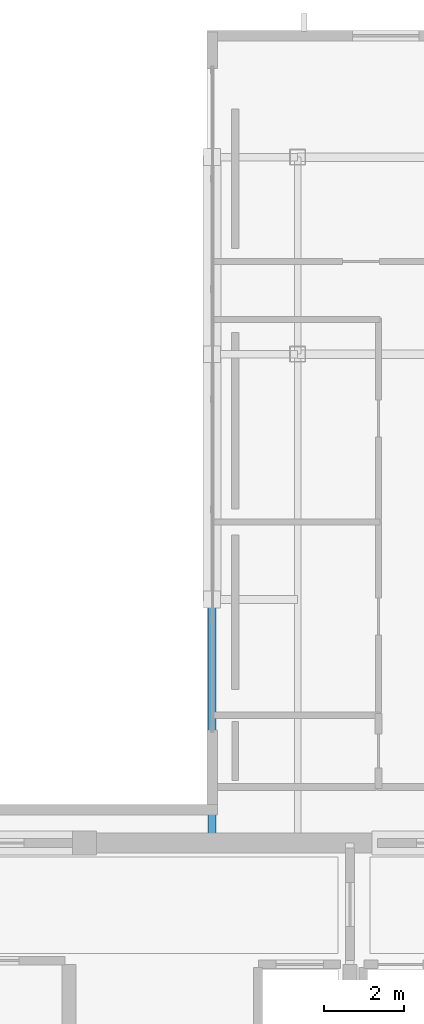
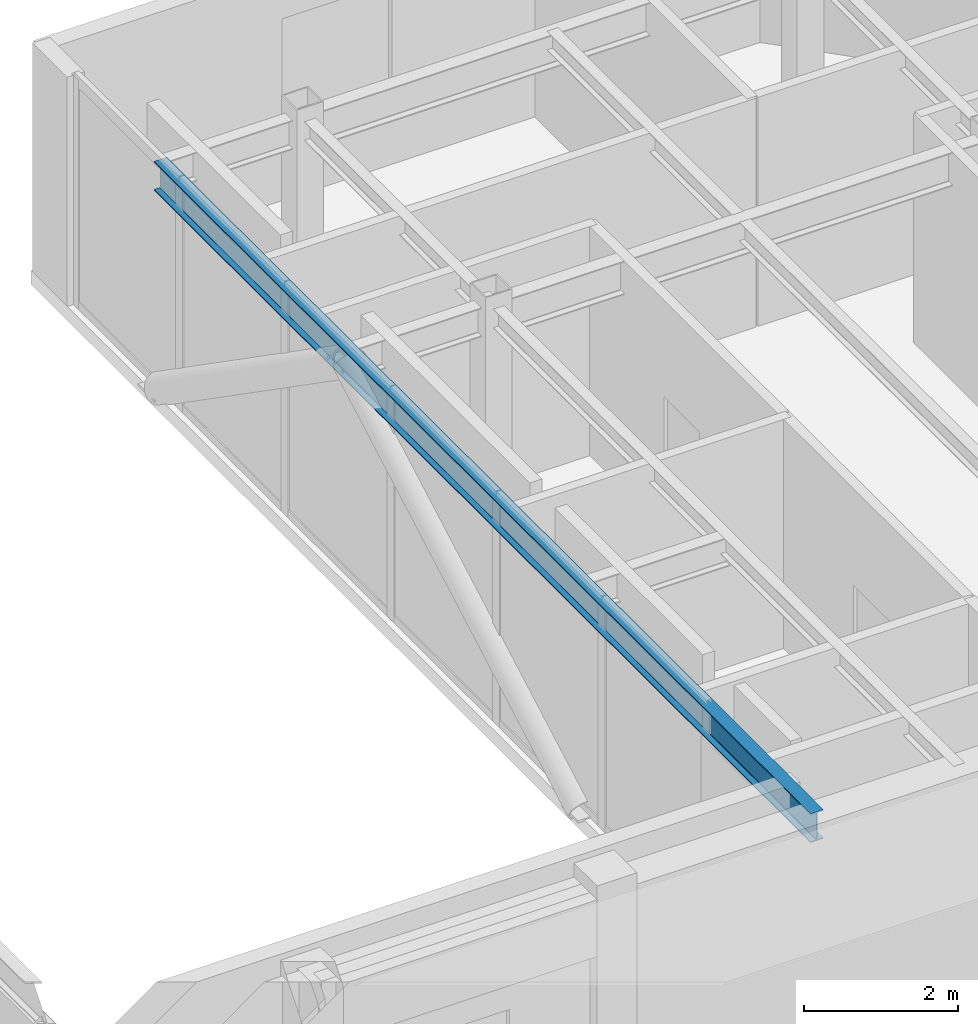
# One storey, part 10 of 18: 1 beam.
"""IFC4 building model written with IfcOpenShell, lengths in metres."""

from ifc_helpers import new_model, si_unit, direction, frame, origin, origin_2d, place, context, subcontext, project, spatial, i_section, extrude, material, material_profile, profile_set, type_object, element, save


model = new_model("IFC4")

# Units and contexts
model_context = context("Model", 3, precision=1e-05, world=origin(), true_north=direction((0.0, 1.0)))
body_context = subcontext(model_context, "Body", "Model", "MODEL_VIEW")
ifc_project = project(units=[si_unit("LENGTHUNIT", "METRE"), si_unit("AREAUNIT", "SQUARE_METRE"), si_unit("VOLUMEUNIT", "CUBIC_METRE"), si_unit("PLANEANGLEUNIT", "RADIAN"), si_unit("MASSUNIT", "GRAM", prefix="KILO")], contexts=[model_context])

# Site, building, storey
site_placement = place(None, origin())
site = spatial("IfcSite", under=ifc_project, at=site_placement, CompositionType="ELEMENT")
building_placement = place(site_placement, origin())
building = spatial("IfcBuilding", under=site, at=building_placement, Name="Ventersveld Concourse Tower", CompositionType="ELEMENT")
storey_placement = place(building_placement, frame((0.0, 0.0, 341.35009765625)))
storey = spatial("IfcBuildingStorey", under=building, at=storey_placement, Name="L84", CompositionType="ELEMENT", Elevation=341.35009765625)

# Beam
ifc_material = material(Name="Structural steel S355J2", Category="steel")
ifc_material_profile = material_profile(ifc_material, i_section(OverallWidth=0.19140625, OverallDepth=0.4599609375, WebThickness=0.010009765625, FlangeThickness=0.01611328125, FilletRadius=0.01025390625, at=origin_2d()), Name="UB 457x191x82")
ifc_profile_set = profile_set([ifc_material_profile], Name="Structural steel S355J2")
beam_type = type_object("IfcBeamType", Name="SPD-UB457", PredefinedType="SPANDREL", material=ifc_profile_set)
beam_placement = place(storey_placement, frame((34.1201171875, 11.449951171875, 3.39990234375), z_axis=(0.0, 1.0, 0.0), x_axis=(-1.0, 0.0, 0.0)))
element("IfcBeam", 1, at=beam_placement, inside=storey, type_object=beam_type, Name="L84 Wind Portal East Edge Spandrel", PredefinedType="SPANDREL", context=body_context, shape_type="SweptSolid", body=[
    extrude(i_section(OverallWidth=0.19140625, OverallDepth=0.4599609375, WebThickness=0.010009765625, FlangeThickness=0.01611328125, FilletRadius=0.01025390625, at=origin_2d()), origin(), (0.0, 0.0, 1.0), 17.050048828125),
])

save(model, "model.ifc")
